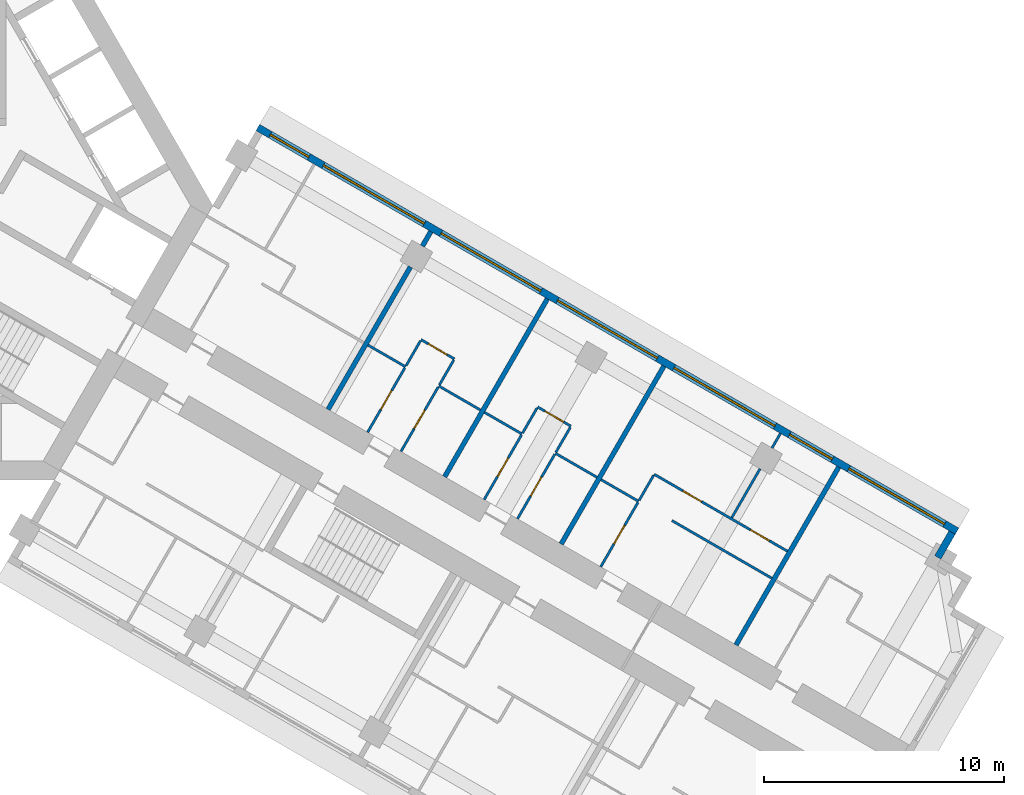
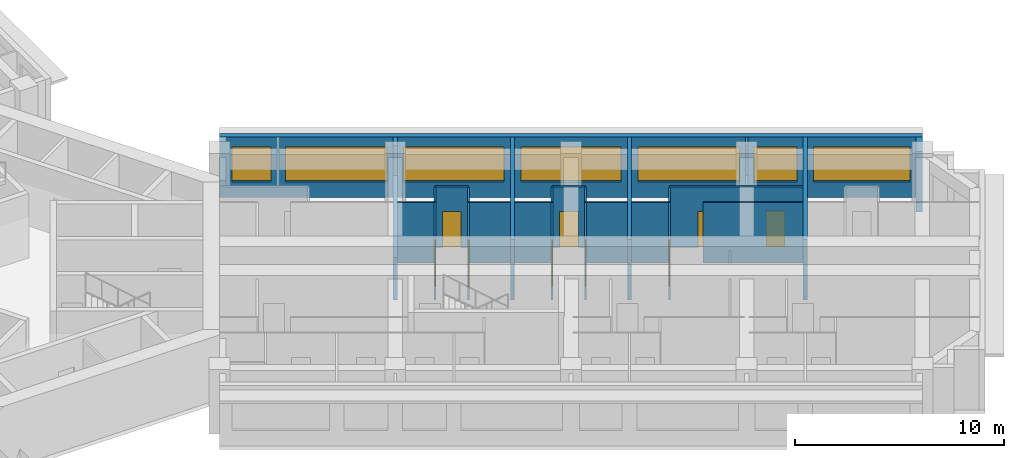
# One storey, part 12 of 14: 28 walls, 9 doors, 7 windows, 16 openings.
"""IFC4 building model written with IfcOpenShell, lengths in metres."""

from ifc_helpers import new_model, si_unit, direction, frame, frame_2d, origin, place, context, subcontext, project, spatial, rectangle, extrude, material, layer, layer_set, type_object, element, fill, save


model = new_model("IFC4")

# Units and contexts
model_context = context("Model", 3, precision=1e-05, world=origin(), true_north=direction((0.0, 1.0)))
body_context = subcontext(model_context, "Body", "Model", "MODEL_VIEW")
ifc_project = project(units=[si_unit("LENGTHUNIT", "METRE"), si_unit("AREAUNIT", "SQUARE_METRE"), si_unit("VOLUMEUNIT", "CUBIC_METRE"), si_unit("PLANEANGLEUNIT", "RADIAN"), si_unit("MASSUNIT", "GRAM", prefix="KILO")], contexts=[model_context])

# Site, building, storey
site_placement = place(None, origin())
site = spatial("IfcSite", under=ifc_project, at=site_placement, CompositionType="ELEMENT")
building_placement = place(site_placement, origin())
building = spatial("IfcBuilding", under=site, at=building_placement, Name="Impinga Residences", CompositionType="ELEMENT")
storey_placement = place(building_placement, frame((0.0, 0.0, 121.0)))
storey = spatial("IfcBuildingStorey", under=building, at=storey_placement, Name="L29", CompositionType="ELEMENT", Elevation=121.0)

# Wall, openings, windows
ifc_material_1 = material(Name="Terracotta rainscreen on blockwork", Category="masonry")
ifc_layer_1 = layer(ifc_material_1, 0.300048828125)
ifc_layer_set_1 = layer_set([ifc_layer_1], Name="EW1 external wall, terracotta rainscreen on blockwork 300")
wall_type_1 = type_object("IfcWallType", Name="EW1 external wall, terracotta rainscreen on blockwork 300", PredefinedType="SOLIDWALL", material=ifc_layer_set_1)
wall_1_placement = place(storey_placement, frame((15.074951171875, 3.24755859375, 0.0), z_axis=(0.0, 0.0, 1.0), x_axis=(0.866024291668, -0.500001926238, 0.0)))
wall_1 = element("IfcWall", 1, at=wall_1_placement, inside=storey, type_object=wall_type_1, Name="External wall EW1 L29", PredefinedType="SOLIDWALL", context=body_context, shape_type="SweptSolid", body=[
    extrude(rectangle(XDim=33.599853515625, YDim=0.300048828125, at=frame_2d((16.7998046875, 0.0))), origin(), (0.0, 0.0, 1.0), 3.530029296875),
])
opening_1_placement = place(wall_1_placement, frame((0.60009765625, 0.0, 0.89990234375)))
opening_1 = element("IfcOpeningElement", 2, at=opening_1_placement, cuts=wall_1, Name="Opening W15", PredefinedType="OPENING", context=body_context, shape_type="SweptSolid", body=[
    extrude(rectangle(XDim=1.85009765625, YDim=2.050048828125, at=frame_2d((0.925048828125, 1.02490234375))), frame((0.0, 0.159912109375, 0.0), z_axis=(0.0, -1.0, 0.0), x_axis=(1.0, 0.0, 0.0)), (0.0, 0.0, 1.0), 0.320068359375),
])
opening_2_placement = place(wall_1_placement, frame((3.14990234375, 0.0, 0.89990234375)))
opening_2 = element("IfcOpeningElement", 3, at=opening_2_placement, cuts=wall_1, Name="Opening W6", PredefinedType="OPENING", context=body_context, shape_type="SweptSolid", body=[
    extrude(rectangle(XDim=4.85009765625, YDim=2.050048828125, at=frame_2d((2.425048828125, 1.02490234375))), frame((0.0, 0.159912109375, 0.0), z_axis=(0.0, -1.0, 0.0), x_axis=(1.0, 0.0, 0.0)), (0.0, 0.0, 1.0), 0.320068359375),
])
opening_3_placement = place(wall_1_placement, frame((8.800048828125, 0.0, 0.89990234375)))
opening_3 = element("IfcOpeningElement", 4, at=opening_3_placement, cuts=wall_1, Name="Opening W8", PredefinedType="OPENING", context=body_context, shape_type="SweptSolid", body=[
    extrude(rectangle(XDim=4.800048828125, YDim=2.050048828125, at=frame_2d((2.39990234375, 1.02490234375))), frame((0.0, 0.159912109375, 0.0), z_axis=(0.0, -1.0, 0.0), x_axis=(1.0, 0.0, 0.0)), (0.0, 0.0, 1.0), 0.320068359375),
])
opening_4_placement = place(wall_1_placement, frame((14.39990234375, 0.0, 0.89990234375)))
opening_4 = element("IfcOpeningElement", 5, at=opening_4_placement, cuts=wall_1, Name="Opening W8", PredefinedType="OPENING", context=body_context, shape_type="SweptSolid", body=[
    extrude(rectangle(XDim=4.800048828125, YDim=2.050048828125, at=frame_2d((2.39990234375, 1.02490234375))), frame((0.0, 0.159912109375, 0.0), z_axis=(0.0, -1.0, 0.0), x_axis=(1.0, 0.0, 0.0)), (0.0, 0.0, 1.0), 0.320068359375),
])
opening_5_placement = place(wall_1_placement, frame((20.0, 0.0, 0.89990234375)))
opening_5 = element("IfcOpeningElement", 6, at=opening_5_placement, cuts=wall_1, Name="Opening W6", PredefinedType="OPENING", context=body_context, shape_type="SweptSolid", body=[
    extrude(rectangle(XDim=4.85009765625, YDim=2.050048828125, at=frame_2d((2.425048828125, 1.02490234375))), frame((0.0, 0.159912109375, 0.0), z_axis=(0.0, -1.0, 0.0), x_axis=(1.0, 0.0, 0.0)), (0.0, 0.0, 1.0), 0.320068359375),
])
opening_6_placement = place(wall_1_placement, frame((25.550048828125, 0.0, 0.89990234375)))
opening_6 = element("IfcOpeningElement", 7, at=opening_6_placement, cuts=wall_1, Name="Opening W14", PredefinedType="OPENING", context=body_context, shape_type="SweptSolid", body=[
    extrude(rectangle(XDim=2.050048828125, YDim=2.050048828125, at=frame_2d((1.02490234375, 1.02490234375))), frame((0.0, 0.159912109375, 0.0), z_axis=(0.0, -1.0, 0.0), x_axis=(1.0, 0.0, 0.0)), (0.0, 0.0, 1.0), 0.320068359375),
])
opening_7_placement = place(wall_1_placement, frame((28.39990234375, 0.0, 0.89990234375)))
opening_7 = element("IfcOpeningElement", 8, at=opening_7_placement, cuts=wall_1, Name="Opening W3", PredefinedType="OPENING", context=body_context, shape_type="SweptSolid", body=[
    extrude(rectangle(XDim=4.60009765625, YDim=2.050048828125, at=frame_2d((2.300048828125, 1.02490234375))), frame((0.0, 0.159912109375, 0.0), z_axis=(0.0, -1.0, 0.0), x_axis=(1.0, 0.0, 0.0)), (0.0, 0.0, 1.0), 0.320068359375),
])
ifc_material_2 = material(Name="Aluminium window, clear double glazing", Category="aluminium")
window_type_1 = type_object("IfcWindowType", Name="W14 ribbon window 2050x2050", PartitioningType="SINGLE_PANEL", PredefinedType="WINDOW", material=ifc_material_2)
window_1_placement = place(opening_6_placement, origin())
window_1 = element("IfcWindow", 9, at=window_1_placement, inside=storey, type_object=window_type_1, Name="Window L29", OverallHeight=2.050048828125, OverallWidth=2.050048828125, PartitioningType="SINGLE_PANEL", PredefinedType="WINDOW", context=body_context, shape_type="SweptSolid", body=[
    extrude(rectangle(XDim=2.050048828125, YDim=2.050048828125, at=frame_2d((1.02490234375, 1.02490234375))), frame((0.0, 0.030029296875, 0.0), z_axis=(0.0, -1.0, 0.0), x_axis=(1.0, 0.0, 0.0)), (0.0, 0.0, 1.0), 0.06005859375),
])
fill(opening_6, window_1)
window_type_2 = type_object("IfcWindowType", Name="W15 ribbon window 1850x2050", PartitioningType="SINGLE_PANEL", PredefinedType="WINDOW", material=ifc_material_2)
window_2_placement = place(opening_1_placement, origin())
window_2 = element("IfcWindow", 10, at=window_2_placement, inside=storey, type_object=window_type_2, Name="Window L29", OverallHeight=2.050048828125, OverallWidth=1.85009765625, PartitioningType="SINGLE_PANEL", PredefinedType="WINDOW", context=body_context, shape_type="SweptSolid", body=[
    extrude(rectangle(XDim=1.85009765625, YDim=2.050048828125, at=frame_2d((0.925048828125, 1.02490234375))), frame((0.0, 0.030029296875, 0.0), z_axis=(0.0, -1.0, 0.0), x_axis=(1.0, 0.0, 0.0)), (0.0, 0.0, 1.0), 0.06005859375),
])
fill(opening_1, window_2)
window_type_3 = type_object("IfcWindowType", Name="W3 ribbon window 4600x2050", PartitioningType="SINGLE_PANEL", PredefinedType="WINDOW", material=ifc_material_2)
window_3_placement = place(opening_7_placement, origin())
window_3 = element("IfcWindow", 11, at=window_3_placement, inside=storey, type_object=window_type_3, Name="Window L29", OverallHeight=2.050048828125, OverallWidth=4.60009765625, PartitioningType="SINGLE_PANEL", PredefinedType="WINDOW", context=body_context, shape_type="SweptSolid", body=[
    extrude(rectangle(XDim=4.60009765625, YDim=2.050048828125, at=frame_2d((2.300048828125, 1.02490234375))), frame((0.0, 0.030029296875, 0.0), z_axis=(0.0, -1.0, 0.0), x_axis=(1.0, 0.0, 0.0)), (0.0, 0.0, 1.0), 0.06005859375),
])
fill(opening_7, window_3)
window_type_4 = type_object("IfcWindowType", Name="W6 ribbon window 4850x2050", PartitioningType="SINGLE_PANEL", PredefinedType="WINDOW", material=ifc_material_2)
window_4_placement = place(opening_2_placement, origin())
window_4 = element("IfcWindow", 12, at=window_4_placement, inside=storey, type_object=window_type_4, Name="Window L29", OverallHeight=2.050048828125, OverallWidth=4.85009765625, PartitioningType="SINGLE_PANEL", PredefinedType="WINDOW", context=body_context, shape_type="SweptSolid", body=[
    extrude(rectangle(XDim=4.85009765625, YDim=2.050048828125, at=frame_2d((2.425048828125, 1.02490234375))), frame((0.0, 0.030029296875, 0.0), z_axis=(0.0, -1.0, 0.0), x_axis=(1.0, 0.0, 0.0)), (0.0, 0.0, 1.0), 0.06005859375),
])
fill(opening_2, window_4)
window_5_placement = place(opening_5_placement, origin())
window_5 = element("IfcWindow", 13, at=window_5_placement, inside=storey, type_object=window_type_4, Name="Window L29", OverallHeight=2.050048828125, OverallWidth=4.85009765625, PartitioningType="SINGLE_PANEL", PredefinedType="WINDOW", context=body_context, shape_type="SweptSolid", body=[
    extrude(rectangle(XDim=4.85009765625, YDim=2.050048828125, at=frame_2d((2.425048828125, 1.02490234375))), frame((0.0, 0.030029296875, 0.0), z_axis=(0.0, -1.0, 0.0), x_axis=(1.0, 0.0, 0.0)), (0.0, 0.0, 1.0), 0.06005859375),
])
fill(opening_5, window_5)
window_type_5 = type_object("IfcWindowType", Name="W8 ribbon window 4800x2050", PartitioningType="SINGLE_PANEL", PredefinedType="WINDOW", material=ifc_material_2)
window_6_placement = place(opening_3_placement, origin())
window_6 = element("IfcWindow", 14, at=window_6_placement, inside=storey, type_object=window_type_5, Name="Window L29", OverallHeight=2.050048828125, OverallWidth=4.800048828125, PartitioningType="SINGLE_PANEL", PredefinedType="WINDOW", context=body_context, shape_type="SweptSolid", body=[
    extrude(rectangle(XDim=4.800048828125, YDim=2.050048828125, at=frame_2d((2.39990234375, 1.02490234375))), frame((0.0, 0.030029296875, 0.0), z_axis=(0.0, -1.0, 0.0), x_axis=(1.0, 0.0, 0.0)), (0.0, 0.0, 1.0), 0.06005859375),
])
fill(opening_3, window_6)
window_7_placement = place(opening_4_placement, origin())
window_7 = element("IfcWindow", 15, at=window_7_placement, inside=storey, type_object=window_type_5, Name="Window L29", OverallHeight=2.050048828125, OverallWidth=4.800048828125, PartitioningType="SINGLE_PANEL", PredefinedType="WINDOW", context=body_context, shape_type="SweptSolid", body=[
    extrude(rectangle(XDim=4.800048828125, YDim=2.050048828125, at=frame_2d((2.39990234375, 1.02490234375))), frame((0.0, 0.030029296875, 0.0), z_axis=(0.0, -1.0, 0.0), x_axis=(1.0, 0.0, 0.0)), (0.0, 0.0, 1.0), 0.06005859375),
])
fill(opening_4, window_7)

# Walls
wall_2_placement = place(storey_placement, frame((43.968505859375, -13.607421875, 0.0), z_axis=(0.0, 0.0, 1.0), x_axis=(-0.500029051137, -0.866008630453, 0.0)))
element("IfcWall", 16, at=wall_2_placement, inside=storey, type_object=wall_type_1, Name="External wall EW1 L29", PredefinedType="SOLIDWALL", context=body_context, shape_type="SweptSolid", body=[
    extrude(rectangle(XDim=1.19482421875, YDim=0.300048828125, at=frame_2d((0.597412109375, 0.0))), origin(), (0.0, 0.0, 1.0), 3.530029296875),
])
ifc_material_3 = material(Name="Gypsum board on steel studs", Category="steel")
ifc_layer_2 = layer(ifc_material_3, 0.10009765625)
ifc_layer_set_2 = layer_set([ifc_layer_2], Name="Gypsum board on steel studs")
wall_type_2 = type_object("IfcWallType", Name="IP1 partition 100", PredefinedType="PARTITIONING", material=ifc_layer_set_2)
wall_3_placement = place(storey_placement, frame((19.6611328125, -5.808837890625, 0.0), z_axis=(0.0, 0.0, 1.0), x_axis=(0.866047807691, -0.499961193289, 0.0)))
element("IfcWall", 17, at=wall_3_placement, inside=storey, type_object=wall_type_2, Name="Partition L29-EA2:DIV0", PredefinedType="PARTITIONING", context=body_context, shape_type="SweptSolid", body=[
    extrude(rectangle(XDim=1.800048828125, YDim=0.10009765625, at=frame_2d((0.89990234375, 0.0))), origin(), (0.0, 0.0, 1.0), 3.530029296875),
])
wall_4_placement = place(storey_placement, frame((22.605712890625, -7.5087890625, 0.0), z_axis=(0.0, 0.0, 1.0), x_axis=(0.866010750942, -0.50002537861, 0.0)))
element("IfcWall", 18, at=wall_4_placement, inside=storey, type_object=wall_type_2, Name="Partition L29-EA2:DIV1", PredefinedType="PARTITIONING", context=body_context, shape_type="SweptSolid", body=[
    extrude(rectangle(XDim=2.0, YDim=0.10009765625, at=frame_2d((1.0, 0.0))), origin(), (0.0, 0.0, 1.0), 3.530029296875),
])

# Wall, opening, door
wall_5_placement = place(storey_placement, frame((21.8701171875, -5.5830078125, 0.0), z_axis=(0.0, 0.0, 1.0), x_axis=(0.865989903783, -0.500061482766, 0.0)))
wall_5 = element("IfcWall", 19, at=wall_5_placement, inside=storey, type_object=wall_type_2, Name="Partition L29-EA2:STRIP", PredefinedType="PARTITIONING", context=body_context, shape_type="SweptSolid", body=[
    extrude(rectangle(XDim=1.599853515625, YDim=0.10009765625, at=frame_2d((0.7998046875, 0.0))), origin(), (0.0, 0.0, 1.0), 3.530029296875),
])
opening_8_placement = place(wall_5_placement, frame((0.35009765625, 0.0, 0.0)))
opening_8 = element("IfcOpeningElement", 20, at=opening_8_placement, cuts=wall_5, Name="Opening D2", PredefinedType="OPENING", context=body_context, shape_type="SweptSolid", body=[
    extrude(rectangle(XDim=0.89990234375, YDim=2.10009765625, at=frame_2d((0.449951171875, 1.050048828125))), frame((0.0, 0.06005859375, 0.0), z_axis=(0.0, -1.0, 0.0), x_axis=(1.0, 0.0, 0.0)), (0.0, 0.0, 1.0), 0.1201171875),
])
ifc_material_4 = material(Name="Timber door set", Category="wood")
door_type = type_object("IfcDoorType", Name="D2 internal door 900x2100", OperationType="SINGLE_SWING_LEFT", PredefinedType="DOOR", material=ifc_material_4)
door_1_placement = place(opening_8_placement, origin())
door_1 = element("IfcDoor", 21, at=door_1_placement, inside=storey, type_object=door_type, Name="Apartment L29-EA2 room door", OperationType="SINGLE_SWING_LEFT", OverallHeight=2.10009765625, OverallWidth=0.89990234375, PredefinedType="DOOR", context=body_context, shape_type="SweptSolid", body=[
    extrude(rectangle(XDim=0.89990234375, YDim=2.10009765625, at=frame_2d((0.449951171875, 1.050048828125))), frame((0.0, 0.02490234375, 0.0), z_axis=(0.0, -1.0, 0.0), x_axis=(1.0, 0.0, 0.0)), (0.0, 0.0, 1.0), 0.050048828125),
])
fill(opening_8, door_1)

# Walls
wall_6_placement = place(storey_placement, frame((21.2451171875, -6.66552734375, 0.0), z_axis=(0.0, 0.0, 1.0), x_axis=(0.499880961361, 0.866094119867, 0.0)))
element("IfcWall", 22, at=wall_6_placement, inside=storey, type_object=wall_type_2, Name="Partition L29-EA2:SE0", PredefinedType="PARTITIONING", context=body_context, shape_type="SweptSolid", body=[
    extrude(rectangle(XDim=1.199951171875, YDim=0.10009765625, at=frame_2d((0.60009765625, 0.0))), origin(), (0.0, 0.0, 1.0), 3.530029296875),
])
wall_7_placement = place(storey_placement, frame((22.630615234375, -7.465576171875, 0.0), z_axis=(0.0, 0.0, 1.0), x_axis=(0.500033551112, 0.866006032174, 0.0)))
element("IfcWall", 23, at=wall_7_placement, inside=storey, type_object=wall_type_2, Name="Partition L29-EA2:SE1", PredefinedType="PARTITIONING", context=body_context, shape_type="SweptSolid", body=[
    extrude(rectangle(XDim=1.2001953125, YDim=0.10009765625, at=frame_2d((0.60009765625, 0.0))), origin(), (0.0, 0.0, 1.0), 3.530029296875),
])

# Wall, opening, door
wall_8_placement = place(storey_placement, frame((19.64501953125, -9.436767578125, 0.0), z_axis=(0.0, 0.0, 1.0), x_axis=(0.500026960575, 0.86600983753, 0.0)))
wall_8 = element("IfcWall", 24, at=wall_8_placement, inside=storey, type_object=wall_type_2, Name="Partition L29-EA2:IB1", PredefinedType="PARTITIONING", context=body_context, shape_type="SweptSolid", body=[
    extrude(rectangle(XDim=3.099853515625, YDim=0.10009765625, at=frame_2d((1.5498046875, 0.0))), origin(), (0.0, 0.0, 1.0), 3.530029296875),
])
opening_9_placement = place(wall_8_placement, frame((1.10009765625, 0.0, 0.0)))
opening_9 = element("IfcOpeningElement", 25, at=opening_9_placement, cuts=wall_8, Name="Opening D2", PredefinedType="OPENING", context=body_context, shape_type="SweptSolid", body=[
    extrude(rectangle(XDim=0.89990234375, YDim=2.10009765625, at=frame_2d((0.449951171875, 1.050048828125))), frame((0.0, 0.06005859375, 0.0), z_axis=(0.0, -1.0, 0.0), x_axis=(1.0, 0.0, 0.0)), (0.0, 0.0, 1.0), 0.1201171875),
])
door_2_placement = place(opening_9_placement, origin())
door_2 = element("IfcDoor", 26, at=door_2_placement, inside=storey, type_object=door_type, Name="Apartment L29-EA2 bathroom door", OperationType="SINGLE_SWING_LEFT", OverallHeight=2.10009765625, OverallWidth=0.89990234375, PredefinedType="DOOR", context=body_context, shape_type="SweptSolid", body=[
    extrude(rectangle(XDim=0.89990234375, YDim=2.10009765625, at=frame_2d((0.449951171875, 1.050048828125))), frame((0.0, 0.02490234375, 0.0), z_axis=(0.0, -1.0, 0.0), x_axis=(1.0, 0.0, 0.0)), (0.0, 0.0, 1.0), 0.050048828125),
])
fill(opening_9, door_2)

wall_9_placement = place(storey_placement, frame((21.03076171875, -10.23681640625, 0.0), z_axis=(0.0, 0.0, 1.0), x_axis=(0.500026960575, 0.86600983753, 0.0)))
wall_9 = element("IfcWall", 27, at=wall_9_placement, inside=storey, type_object=wall_type_2, Name="Partition L29-EA2:IB2", PredefinedType="PARTITIONING", context=body_context, shape_type="SweptSolid", body=[
    extrude(rectangle(XDim=3.099853515625, YDim=0.10009765625, at=frame_2d((1.5498046875, 0.0))), origin(), (0.0, 0.0, 1.0), 3.530029296875),
])
opening_10_placement = place(wall_9_placement, frame((1.10009765625, 0.0, 0.0)))
opening_10 = element("IfcOpeningElement", 28, at=opening_10_placement, cuts=wall_9, Name="Opening D2", PredefinedType="OPENING", context=body_context, shape_type="SweptSolid", body=[
    extrude(rectangle(XDim=0.89990234375, YDim=2.10009765625, at=frame_2d((0.449951171875, 1.050048828125))), frame((0.0, 0.06005859375, 0.0), z_axis=(0.0, -1.0, 0.0), x_axis=(1.0, 0.0, 0.0)), (0.0, 0.0, 1.0), 0.1201171875),
])
door_3_placement = place(opening_10_placement, origin())
door_3 = element("IfcDoor", 29, at=door_3_placement, inside=storey, type_object=door_type, Name="Apartment L29-EA2 WC door", OperationType="SINGLE_SWING_LEFT", OverallHeight=2.10009765625, OverallWidth=0.89990234375, PredefinedType="DOOR", context=body_context, shape_type="SweptSolid", body=[
    extrude(rectangle(XDim=0.89990234375, YDim=2.10009765625, at=frame_2d((0.449951171875, 1.050048828125))), frame((0.0, 0.02490234375, 0.0), z_axis=(0.0, -1.0, 0.0), x_axis=(1.0, 0.0, 0.0)), (0.0, 0.0, 1.0), 0.050048828125),
])
fill(opening_10, door_3)

# Walls
wall_10_placement = place(storey_placement, frame((24.510986328125, -8.60888671875, 0.0), z_axis=(0.0, 0.0, 1.0), x_axis=(0.866047807691, -0.499961193289, 0.0)))
element("IfcWall", 30, at=wall_10_placement, inside=storey, type_object=wall_type_2, Name="Partition L29-EA3:DIV0", PredefinedType="PARTITIONING", context=body_context, shape_type="SweptSolid", body=[
    extrude(rectangle(XDim=1.800048828125, YDim=0.10009765625, at=frame_2d((0.89990234375, 0.0))), origin(), (0.0, 0.0, 1.0), 3.530029296875),
])
wall_11_placement = place(storey_placement, frame((27.45556640625, -10.308837890625, 0.0), z_axis=(0.0, 0.0, 1.0), x_axis=(0.866010750942, -0.50002537861, 0.0)))
element("IfcWall", 31, at=wall_11_placement, inside=storey, type_object=wall_type_2, Name="Partition L29-EA3:DIV1", PredefinedType="PARTITIONING", context=body_context, shape_type="SweptSolid", body=[
    extrude(rectangle(XDim=2.0, YDim=0.10009765625, at=frame_2d((1.0, 0.0))), origin(), (0.0, 0.0, 1.0), 3.530029296875),
])

# Wall, opening, door
wall_12_placement = place(storey_placement, frame((26.7197265625, -8.383056640625, 0.0), z_axis=(0.0, 0.0, 1.0), x_axis=(0.866028054938, -0.499995408039, 0.0)))
wall_12 = element("IfcWall", 32, at=wall_12_placement, inside=storey, type_object=wall_type_2, Name="Partition L29-EA3:STRIP", PredefinedType="PARTITIONING", context=body_context, shape_type="SweptSolid", body=[
    extrude(rectangle(XDim=1.60009765625, YDim=0.10009765625, at=frame_2d((0.800048828125, 0.0))), origin(), (0.0, 0.0, 1.0), 3.530029296875),
])
opening_11_placement = place(wall_12_placement, frame((0.35009765625, 0.0, 0.0)))
opening_11 = element("IfcOpeningElement", 33, at=opening_11_placement, cuts=wall_12, Name="Opening D2", PredefinedType="OPENING", context=body_context, shape_type="SweptSolid", body=[
    extrude(rectangle(XDim=0.89990234375, YDim=2.10009765625, at=frame_2d((0.449951171875, 1.050048828125))), frame((0.0, 0.06005859375, 0.0), z_axis=(0.0, -1.0, 0.0), x_axis=(1.0, 0.0, 0.0)), (0.0, 0.0, 1.0), 0.1201171875),
])
door_4_placement = place(opening_11_placement, origin())
door_4 = element("IfcDoor", 34, at=door_4_placement, inside=storey, type_object=door_type, Name="Apartment L29-EA3 room door", OperationType="SINGLE_SWING_LEFT", OverallHeight=2.10009765625, OverallWidth=0.89990234375, PredefinedType="DOOR", context=body_context, shape_type="SweptSolid", body=[
    extrude(rectangle(XDim=0.89990234375, YDim=2.10009765625, at=frame_2d((0.449951171875, 1.050048828125))), frame((0.0, 0.02490234375, 0.0), z_axis=(0.0, -1.0, 0.0), x_axis=(1.0, 0.0, 0.0)), (0.0, 0.0, 1.0), 0.050048828125),
])
fill(opening_11, door_4)

# Walls
for number, where, z_axis, x_axis, name in (
    (35, (26.0947265625, -9.465576171875, 0.0), (0.0, 0.0, 1.0), (0.500033551112, 0.866006032174, 0.0), "Partition L29-EA3:SE0"),
    (36, (27.48046875, -10.265625, 0.0), (0.0, 0.0, 1.0), (0.500033551112, 0.866006032174, 0.0), "Partition L29-EA3:SE1"),
):
    element("IfcWall", number, at=place(storey_placement, frame(where, z_axis=z_axis, x_axis=x_axis)), inside=storey, type_object=wall_type_2, Name=name, PredefinedType="PARTITIONING", context=body_context, shape_type="SweptSolid", body=[
        extrude(rectangle(XDim=1.2001953125, YDim=0.10009765625, at=frame_2d((0.60009765625, 0.0))), origin(), (0.0, 0.0, 1.0), 3.530029296875),
    ])

# Wall, opening, door
wall_13_placement = place(storey_placement, frame((24.494873046875, -12.23681640625, 0.0), z_axis=(0.0, 0.0, 1.0), x_axis=(0.500026960575, 0.86600983753, 0.0)))
wall_13 = element("IfcWall", 37, at=wall_13_placement, inside=storey, type_object=wall_type_2, Name="Partition L29-EA3:IB1", PredefinedType="PARTITIONING", context=body_context, shape_type="SweptSolid", body=[
    extrude(rectangle(XDim=3.099853515625, YDim=0.10009765625, at=frame_2d((1.5498046875, 0.0))), origin(), (0.0, 0.0, 1.0), 3.530029296875),
])
opening_12_placement = place(wall_13_placement, frame((1.10009765625, 0.0, 0.0)))
opening_12 = element("IfcOpeningElement", 38, at=opening_12_placement, cuts=wall_13, Name="Opening D2", PredefinedType="OPENING", context=body_context, shape_type="SweptSolid", body=[
    extrude(rectangle(XDim=0.89990234375, YDim=2.10009765625, at=frame_2d((0.449951171875, 1.050048828125))), frame((0.0, 0.06005859375, 0.0), z_axis=(0.0, -1.0, 0.0), x_axis=(1.0, 0.0, 0.0)), (0.0, 0.0, 1.0), 0.1201171875),
])
door_5_placement = place(opening_12_placement, origin())
door_5 = element("IfcDoor", 39, at=door_5_placement, inside=storey, type_object=door_type, Name="Apartment L29-EA3 bathroom door", OperationType="SINGLE_SWING_LEFT", OverallHeight=2.10009765625, OverallWidth=0.89990234375, PredefinedType="DOOR", context=body_context, shape_type="SweptSolid", body=[
    extrude(rectangle(XDim=0.89990234375, YDim=2.10009765625, at=frame_2d((0.449951171875, 1.050048828125))), frame((0.0, 0.02490234375, 0.0), z_axis=(0.0, -1.0, 0.0), x_axis=(1.0, 0.0, 0.0)), (0.0, 0.0, 1.0), 0.050048828125),
])
fill(opening_12, door_5)

wall_14_placement = place(storey_placement, frame((25.88037109375, -13.036865234375, 0.0), z_axis=(0.0, 0.0, 1.0), x_axis=(0.49999285859, 0.86602952684, 0.0)))
wall_14 = element("IfcWall", 40, at=wall_14_placement, inside=storey, type_object=wall_type_2, Name="Partition L29-EA3:IB2", PredefinedType="PARTITIONING", context=body_context, shape_type="SweptSolid", body=[
    extrude(rectangle(XDim=3.10009765625, YDim=0.10009765625, at=frame_2d((1.550048828125, 0.0))), origin(), (0.0, 0.0, 1.0), 3.530029296875),
])
opening_13_placement = place(wall_14_placement, frame((1.10009765625, 0.0, 0.0)))
opening_13 = element("IfcOpeningElement", 41, at=opening_13_placement, cuts=wall_14, Name="Opening D2", PredefinedType="OPENING", context=body_context, shape_type="SweptSolid", body=[
    extrude(rectangle(XDim=0.89990234375, YDim=2.10009765625, at=frame_2d((0.449951171875, 1.050048828125))), frame((0.0, 0.06005859375, 0.0), z_axis=(0.0, -1.0, 0.0), x_axis=(1.0, 0.0, 0.0)), (0.0, 0.0, 1.0), 0.1201171875),
])
door_6_placement = place(opening_13_placement, origin())
door_6 = element("IfcDoor", 42, at=door_6_placement, inside=storey, type_object=door_type, Name="Apartment L29-EA3 WC door", OperationType="SINGLE_SWING_LEFT", OverallHeight=2.10009765625, OverallWidth=0.89990234375, PredefinedType="DOOR", context=body_context, shape_type="SweptSolid", body=[
    extrude(rectangle(XDim=0.89990234375, YDim=2.10009765625, at=frame_2d((0.449951171875, 1.050048828125))), frame((0.0, 0.02490234375, 0.0), z_axis=(0.0, -1.0, 0.0), x_axis=(1.0, 0.0, 0.0)), (0.0, 0.0, 1.0), 0.050048828125),
])
fill(opening_13, door_6)

# Walls
wall_15_placement = place(storey_placement, frame((29.360595703125, -11.408935546875, 0.0), z_axis=(0.0, 0.0, 1.0), x_axis=(0.866047807691, -0.499961193289, 0.0)))
element("IfcWall", 43, at=wall_15_placement, inside=storey, type_object=wall_type_2, Name="Partition L29-EA4:DIV0", PredefinedType="PARTITIONING", context=body_context, shape_type="SweptSolid", body=[
    extrude(rectangle(XDim=1.800048828125, YDim=0.10009765625, at=frame_2d((0.89990234375, 0.0))), origin(), (0.0, 0.0, 1.0), 3.530029296875),
])
wall_16_placement = place(storey_placement, frame((32.30517578125, -13.10888671875, 0.0), z_axis=(0.0, 0.0, 1.0), x_axis=(0.866037363387, -0.499979284789, 0.0)))
element("IfcWall", 44, at=wall_16_placement, inside=storey, type_object=wall_type_2, Name="Partition L29-EA4:DIV1", PredefinedType="PARTITIONING", context=body_context, shape_type="SweptSolid", body=[
    extrude(rectangle(XDim=4.800048828125, YDim=0.10009765625, at=frame_2d((2.39990234375, 0.0))), origin(), (0.0, 0.0, 1.0), 3.530029296875),
])

# Wall, openings, doors
wall_17_placement = place(storey_placement, frame((31.569580078125, -11.18310546875, 0.0), z_axis=(0.0, 0.0, 1.0), x_axis=(0.866025499775, -0.499999833739, 0.0)))
wall_17 = element("IfcWall", 45, at=wall_17_placement, inside=storey, type_object=wall_type_2, Name="Partition L29-EA4:STRIP", PredefinedType="PARTITIONING", context=body_context, shape_type="SweptSolid", body=[
    extrude(rectangle(XDim=6.39990234375, YDim=0.10009765625, at=frame_2d((3.199951171875, 0.0))), origin(), (0.0, 0.0, 1.0), 3.530029296875),
])
opening_14_placement = place(wall_17_placement, frame((1.375, 0.0, 0.0)))
opening_14 = element("IfcOpeningElement", 46, at=opening_14_placement, cuts=wall_17, Name="Opening D2", PredefinedType="OPENING", context=body_context, shape_type="SweptSolid", body=[
    extrude(rectangle(XDim=0.89990234375, YDim=2.10009765625, at=frame_2d((0.449951171875, 1.050048828125))), frame((0.0, 0.06005859375, 0.0), z_axis=(0.0, -1.0, 0.0), x_axis=(1.0, 0.0, 0.0)), (0.0, 0.0, 1.0), 0.1201171875),
])
opening_15_placement = place(wall_17_placement, frame((4.625, 0.0, 0.0)))
opening_15 = element("IfcOpeningElement", 47, at=opening_15_placement, cuts=wall_17, Name="Opening D2", PredefinedType="OPENING", context=body_context, shape_type="SweptSolid", body=[
    extrude(rectangle(XDim=0.89990234375, YDim=2.10009765625, at=frame_2d((0.449951171875, 1.050048828125))), frame((0.0, 0.06005859375, 0.0), z_axis=(0.0, -1.0, 0.0), x_axis=(1.0, 0.0, 0.0)), (0.0, 0.0, 1.0), 0.1201171875),
])
door_7_placement = place(opening_14_placement, origin())
door_7 = element("IfcDoor", 48, at=door_7_placement, inside=storey, type_object=door_type, Name="Apartment L29-EA4 room door", OperationType="SINGLE_SWING_LEFT", OverallHeight=2.10009765625, OverallWidth=0.89990234375, PredefinedType="DOOR", context=body_context, shape_type="SweptSolid", body=[
    extrude(rectangle(XDim=0.89990234375, YDim=2.10009765625, at=frame_2d((0.449951171875, 1.050048828125))), frame((0.0, 0.02490234375, 0.0), z_axis=(0.0, -1.0, 0.0), x_axis=(1.0, 0.0, 0.0)), (0.0, 0.0, 1.0), 0.050048828125),
])
fill(opening_14, door_7)
door_8_placement = place(opening_15_placement, origin())
door_8 = element("IfcDoor", 49, at=door_8_placement, inside=storey, type_object=door_type, Name="Apartment L29-EA4 room door", OperationType="SINGLE_SWING_RIGHT", OverallHeight=2.10009765625, OverallWidth=0.89990234375, PredefinedType="DOOR", context=body_context, shape_type="SweptSolid", body=[
    extrude(rectangle(XDim=0.89990234375, YDim=2.10009765625, at=frame_2d((0.449951171875, 1.050048828125))), frame((0.0, 0.02490234375, 0.0), z_axis=(0.0, -1.0, 0.0), x_axis=(1.0, 0.0, 0.0)), (0.0, 0.0, 1.0), 0.050048828125),
])
fill(opening_15, door_8)

# Wall
wall_18_placement = place(storey_placement, frame((30.944580078125, -12.265625, 0.0), z_axis=(0.0, 0.0, 1.0), x_axis=(0.499880961361, 0.866094119867, 0.0)))
element("IfcWall", 50, at=wall_18_placement, inside=storey, type_object=wall_type_2, Name="Partition L29-EA4:SE0", PredefinedType="PARTITIONING", context=body_context, shape_type="SweptSolid", body=[
    extrude(rectangle(XDim=1.199951171875, YDim=0.10009765625, at=frame_2d((0.60009765625, 0.0))), origin(), (0.0, 0.0, 1.0), 3.530029296875),
])

# Wall, opening, door
wall_19_placement = place(storey_placement, frame((29.344482421875, -15.036865234375, 0.0), z_axis=(0.0, 0.0, 1.0), x_axis=(0.49999285859, 0.86602952684, 0.0)))
wall_19 = element("IfcWall", 51, at=wall_19_placement, inside=storey, type_object=wall_type_2, Name="Partition L29-EA4:IB1", PredefinedType="PARTITIONING", context=body_context, shape_type="SweptSolid", body=[
    extrude(rectangle(XDim=3.10009765625, YDim=0.10009765625, at=frame_2d((1.550048828125, 0.0))), origin(), (0.0, 0.0, 1.0), 3.530029296875),
])
opening_16_placement = place(wall_19_placement, frame((1.10009765625, 0.0, 0.0)))
opening_16 = element("IfcOpeningElement", 52, at=opening_16_placement, cuts=wall_19, Name="Opening D2", PredefinedType="OPENING", context=body_context, shape_type="SweptSolid", body=[
    extrude(rectangle(XDim=0.89990234375, YDim=2.10009765625, at=frame_2d((0.449951171875, 1.050048828125))), frame((0.0, 0.06005859375, 0.0), z_axis=(0.0, -1.0, 0.0), x_axis=(1.0, 0.0, 0.0)), (0.0, 0.0, 1.0), 0.1201171875),
])
door_9_placement = place(opening_16_placement, origin())
door_9 = element("IfcDoor", 53, at=door_9_placement, inside=storey, type_object=door_type, Name="Apartment L29-EA4 bathroom door", OperationType="SINGLE_SWING_LEFT", OverallHeight=2.10009765625, OverallWidth=0.89990234375, PredefinedType="DOOR", context=body_context, shape_type="SweptSolid", body=[
    extrude(rectangle(XDim=0.89990234375, YDim=2.10009765625, at=frame_2d((0.449951171875, 1.050048828125))), frame((0.0, 0.02490234375, 0.0), z_axis=(0.0, -1.0, 0.0), x_axis=(1.0, 0.0, 0.0)), (0.0, 0.0, 1.0), 0.050048828125),
])
fill(opening_16, door_9)

# Walls
wall_20_placement = place(storey_placement, frame((34.798828125, -12.98974609375, 0.0), z_axis=(0.0, 0.0, 1.0), x_axis=(0.500016218704, 0.866016039709, 0.0)))
element("IfcWall", 54, at=wall_20_placement, inside=storey, type_object=wall_type_2, Name="Partition L29-EA4:OB1", PredefinedType="PARTITIONING", context=body_context, shape_type="SweptSolid", body=[
    extrude(rectangle(XDim=2.35009765625, YDim=0.10009765625, at=frame_2d((1.175048828125, 0.0))), origin(), (0.0, 0.0, 1.0), 2.47998046875),
])
wall_21_placement = place(storey_placement, frame((36.473876953125, -10.088623046875, 0.0), z_axis=(0.0, 0.0, 1.0), x_axis=(0.499853302173, 0.866110083249, 0.0)))
element("IfcWall", 55, at=wall_21_placement, inside=storey, type_object=wall_type_2, Name="Partition L29-EA4:OB1b", PredefinedType="PARTITIONING", context=body_context, shape_type="SweptSolid", body=[
    extrude(rectangle(XDim=0.699951171875, YDim=0.10009765625, at=frame_2d((0.35009765625, 0.0))), origin(), (0.0, 0.0, 1.0), 3.530029296875),
])
ifc_material_5 = material(Name="Concrete blockwork", Category="masonry")
ifc_layer_3 = layer(ifc_material_5, 0.199951171875)
ifc_layer_set_3 = layer_set([ifc_layer_3], Name="PW1 party wall between apartments 200")
wall_type_3 = type_object("IfcWallType", Name="PW1 party wall between apartments 200", PredefinedType="SOLIDWALL", material=ifc_layer_set_3)
wall_22_placement = place(storey_placement, frame((17.99951171875, -8.48681640625, 0.0), z_axis=(0.0, 0.0, 1.0), x_axis=(0.499999086063, 0.866025931445, 0.0)))
element("IfcWall", 56, at=wall_22_placement, inside=storey, type_object=wall_type_3, Name="Party wall between apartments L29-EA1:PARTY", PredefinedType="SOLIDWALL", context=body_context, shape_type="SweptSolid", body=[
    extrude(rectangle(XDim=6.85009765625, YDim=0.199951171875, at=frame_2d((3.425048828125, 0.0))), origin(), (0.0, 0.0, 1.0), 2.47998046875),
])
wall_23_placement = place(storey_placement, frame((21.924560546875, -1.6884765625, 0.0), z_axis=(0.0, 0.0, 1.0), x_axis=(0.500114896893, 0.865959057869, 0.0)))
element("IfcWall", 57, at=wall_23_placement, inside=storey, type_object=wall_type_3, Name="Party wall between apartments L29-EA1:PARTYb", PredefinedType="SOLIDWALL", context=body_context, shape_type="SweptSolid", body=[
    extrude(rectangle(XDim=0.699951171875, YDim=0.199951171875, at=frame_2d((0.35009765625, 0.0))), origin(), (0.0, 0.0, 1.0), 3.530029296875),
])
for number, where, z_axis, x_axis, name in (
    (58, (22.849365234375, -11.286865234375, 0.0), (0.0, 0.0, 1.0), (0.499990227581, 0.86603104582, 0.0), "Party wall between apartments L29-EA2:PARTY"),
    (59, (27.69921875, -14.0869140625, 0.0), (0.0, 0.0, 1.0), (0.499990227581, 0.86603104582, 0.0), "Party wall between apartments L29-EA3:PARTY"),
    (60, (34.9736328125, -18.286865234375, 0.0), (0.0, 0.0, 1.0), (0.500011643316, 0.866018681408, 0.0), "Party wall between apartments L29-EA4:PARTY"),
):
    element("IfcWall", number, at=place(storey_placement, frame(where, z_axis=z_axis, x_axis=x_axis)), inside=storey, type_object=wall_type_3, Name=name, PredefinedType="SOLIDWALL", context=body_context, shape_type="SweptSolid", body=[
        extrude(rectangle(XDim=8.550048828125, YDim=0.199951171875, at=frame_2d((4.27490234375, 0.0))), origin(), (0.0, 0.0, 1.0), 3.530029296875),
    ])

save(model, "model.ifc")
